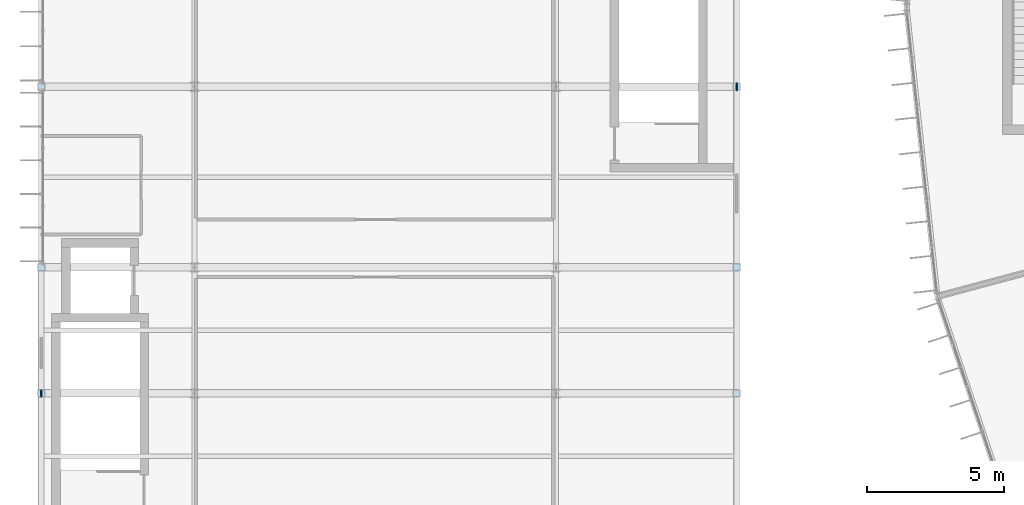
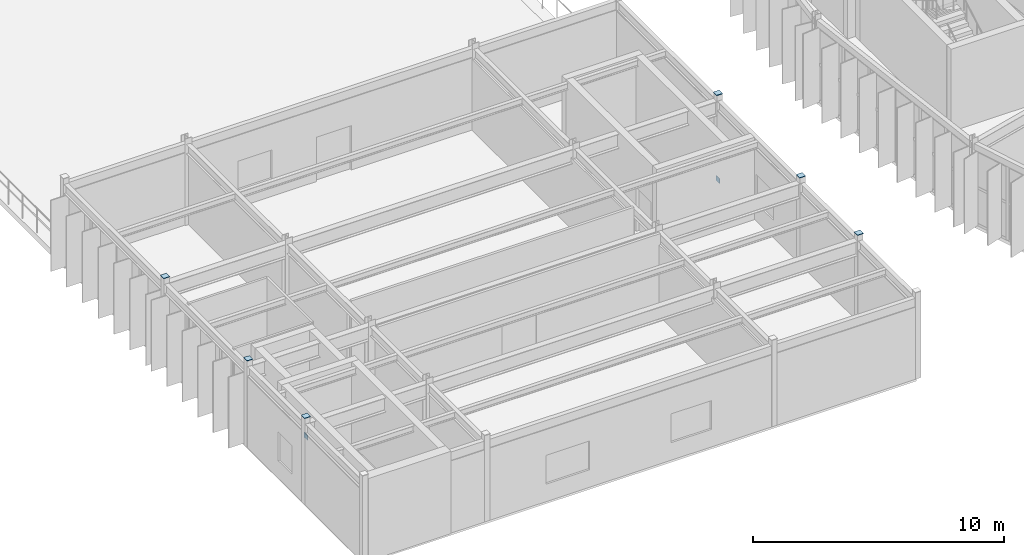
# One storey, part 100 of 130: 8 plates.
"""IFC4 building model written with IfcOpenShell, lengths in metres."""

from ifc_helpers import new_model, si_unit, direction, frame, origin, origin_2d, place, context, subcontext, project, spatial, rectangle, extrude, material, layer, layer_set, type_object, element, save


model = new_model("IFC4")

# Units and contexts
model_context = context("Model", 3, precision=1e-05, world=origin(), true_north=direction((0.0, 1.0)))
body_context = subcontext(model_context, "Body", "Model", "MODEL_VIEW")
ifc_project = project(units=[si_unit("LENGTHUNIT", "METRE"), si_unit("AREAUNIT", "SQUARE_METRE"), si_unit("VOLUMEUNIT", "CUBIC_METRE"), si_unit("PLANEANGLEUNIT", "RADIAN"), si_unit("MASSUNIT", "GRAM", prefix="KILO")], contexts=[model_context])

# Site, building, storey
site_placement = place(None, origin())
site = spatial("IfcSite", under=ifc_project, at=site_placement, CompositionType="ELEMENT")
building_placement = place(site_placement, origin())
building = spatial("IfcBuilding", under=site, at=building_placement, Name="Karori Crest Natural Sciences Institute", CompositionType="ELEMENT")
storey_placement = place(building_placement, frame((0.0, 0.0, 17.5)))
storey = spatial("IfcBuildingStorey", under=building, at=storey_placement, Name="L04", CompositionType="ELEMENT", Elevation=17.5)

# Plates
ifc_material = material(Name="Structural steel AS/NZS 3679.1 Grade 350", Category="steel")
ifc_layer = layer(ifc_material, 0.02490234375, Name="Structural steel AS/NZS 3679.1 Grade 350")
ifc_layer_set = layer_set([ifc_layer], Name="Structural steel AS/NZS 3679.1 Grade 350")
plate_type = type_object("IfcPlateType", Name="PLT-06-EL", PredefinedType="SHEET", material=ifc_layer_set)
for number, where, z_axis, x_axis, name in (
    (1, (1.800048828125, 35.800048828125, 4.199951171875), (0.0, 0.0, 1.0), (1.0, 0.0, 0.0), "Hollow section end cap EP-0226"),
    (2, (1.800048828125, 40.39990234375, 4.199951171875), (0.0, 0.0, 1.0), (1.0, 0.0, 0.0), "Hollow section end cap EP-0227"),
    (3, (1.800048828125, 47.0, 4.199951171875), (0.0, 0.0, 1.0), (1.0, 0.0, 0.0), "Hollow section end cap EP-0228"),
    (4, (27.199951171875, 35.800048828125, 4.199951171875), (0.0, 0.0, 1.0), (1.0, 0.0, 0.0), "Hollow section end cap EP-0233"),
    (5, (27.199951171875, 40.39990234375, 4.199951171875), (0.0, 0.0, 1.0), (1.0, 0.0, 0.0), "Hollow section end cap EP-0234"),
    (6, (27.199951171875, 47.0, 4.199951171875), (0.0, 0.0, 1.0), (1.0, 0.0, 0.0), "Hollow section end cap EP-0235"),
):
    element("IfcPlate", number, at=place(storey_placement, frame(where, z_axis=z_axis, x_axis=x_axis)), inside=storey, type_object=plate_type, Name=name, PredefinedType="SHEET", context=body_context, shape_type="SweptSolid", body=[
        extrude(rectangle(XDim=0.27001953125, YDim=0.27001953125, at=origin_2d()), origin(), (0.0, 0.0, 1.0), 0.02490234375),
    ])
for number, where, z_axis, x_axis, name in (
    (7, (1.800048828125, 35.800048828125, 3.10986328125), (0.0, 0.0, 1.0), (0.0, 1.0, 0.0), "Brace gusset plate EP-0258"),
    (8, (27.199951171875, 47.0, -0.10986328125), (0.0, 0.0, 1.0), (0.0, 1.0, 0.0), "Brace gusset plate EP-0464"),
):
    element("IfcPlate", number, at=place(storey_placement, frame(where, z_axis=z_axis, x_axis=x_axis)), inside=storey, type_object=plate_type, Name=name, PredefinedType="SHEET", context=body_context, shape_type="SweptSolid", body=[
        extrude(rectangle(XDim=0.280029296875, YDim=0.02490234375, at=origin_2d()), origin(), (0.0, 0.0, 1.0), 0.239990234375),
    ])

save(model, "model.ifc")
